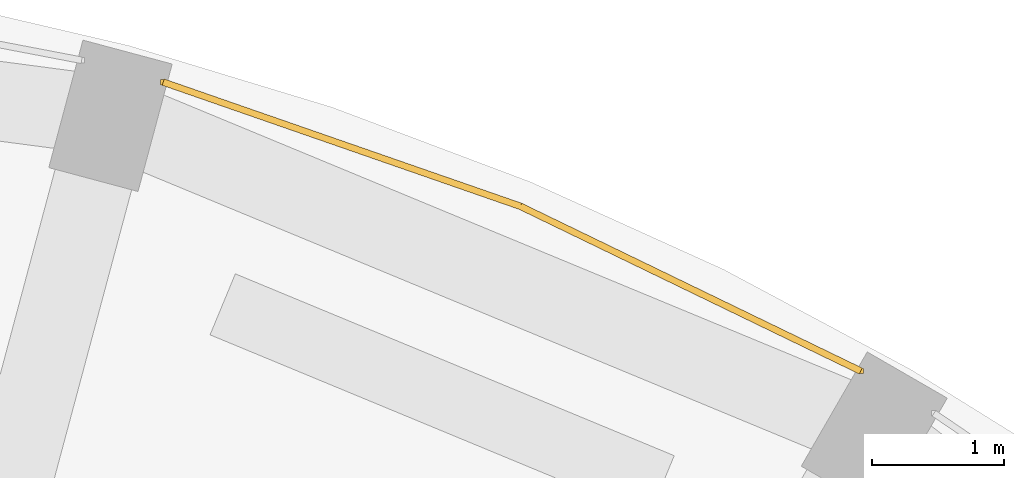
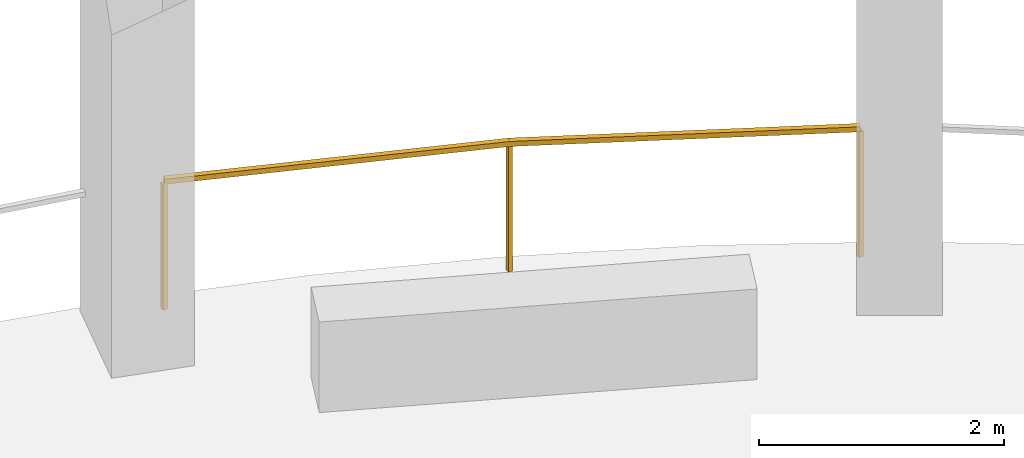
# One storey, part 9 of 9: 1 railing.
"""IFC4 building model written with IfcOpenShell, lengths in metres."""

from ifc_helpers import new_model, si_unit, direction, frame, origin, origin_2d, place, context, subcontext, project, spatial, rectangle, extrude, material, type_object, element, save


model = new_model("IFC4")

# Units and contexts
model_context = context("Model", 3, precision=1e-05, world=origin(), true_north=direction((0.0, 1.0)))
body_context = subcontext(model_context, "Body", "Model", "MODEL_VIEW")
ifc_project = project(units=[si_unit("LENGTHUNIT", "METRE"), si_unit("AREAUNIT", "SQUARE_METRE"), si_unit("VOLUMEUNIT", "CUBIC_METRE"), si_unit("PLANEANGLEUNIT", "RADIAN"), si_unit("MASSUNIT", "GRAM", prefix="KILO")], contexts=[model_context])

# Site, building, storey
site_placement = place(None, origin())
site = spatial("IfcSite", under=ifc_project, at=site_placement, CompositionType="ELEMENT")
building_placement = place(site_placement, origin())
building = spatial("IfcBuilding", under=site, at=building_placement, Name="Torre Triforio", CompositionType="ELEMENT")
storey_placement = place(building_placement, frame((0.0, 0.0, 240.89990234375)))
storey = spatial("IfcBuildingStorey", under=building, at=storey_placement, Name="L55", CompositionType="ELEMENT", Elevation=240.89990234375)

# Railing
ifc_material = material(Name="Stainless steel AISI 316", Category="steel")
railing_type = type_object("IfcRailingType", Name="Loggia guard 1300", PredefinedType="GUARDRAIL", material=ifc_material)
railing_placement = place(storey_placement, frame((11.89794921875, 21.247802734375, 0.0)))
element("IfcRailing", 1, at=railing_placement, inside=storey, type_object=railing_type, Name="Loggia guard L55 bay 05", PredefinedType="GUARDRAIL", context=body_context, shape_type="SweptSolid", body=[
    extrude(rectangle(XDim=0.050048828125, YDim=0.050048828125, at=origin_2d()), frame((0.0, 0.0, 1.27490234375), z_axis=(-0.900078431046, 0.435727917358, 0.0), x_axis=(-0.435727917358, -0.900078431046, 0.0)), (0.0, 0.0, 1.0), 2.865966796875),
    extrude(rectangle(XDim=0.050048828125, YDim=0.050048828125, at=origin_2d()), frame((-2.57958984375, 1.248779296875, 1.27490234375), z_axis=(-0.944568028123, 0.328315763022, 0.0), x_axis=(-0.328315763022, -0.944568028123, 0.0)), (0.0, 0.0, 1.0), 2.865966796875),
    extrude(rectangle(XDim=0.0400390625, YDim=0.0400390625, at=origin_2d()), origin(), (0.0, 0.0, 1.0), 1.25),
    extrude(rectangle(XDim=0.0400390625, YDim=0.0400390625, at=origin_2d()), frame((-2.57958984375, 1.248779296875, 0.0)), (0.0, 0.0, 1.0), 1.25),
    extrude(rectangle(XDim=0.0400390625, YDim=0.0400390625, at=origin_2d()), frame((-5.28662109375, 2.189697265625, 0.0)), (0.0, 0.0, 1.0), 1.25),
])

save(model, "model.ifc")
